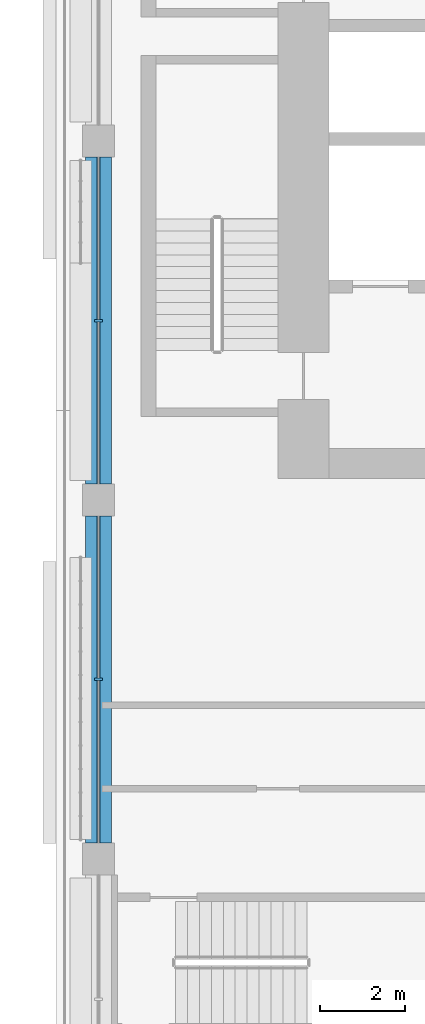
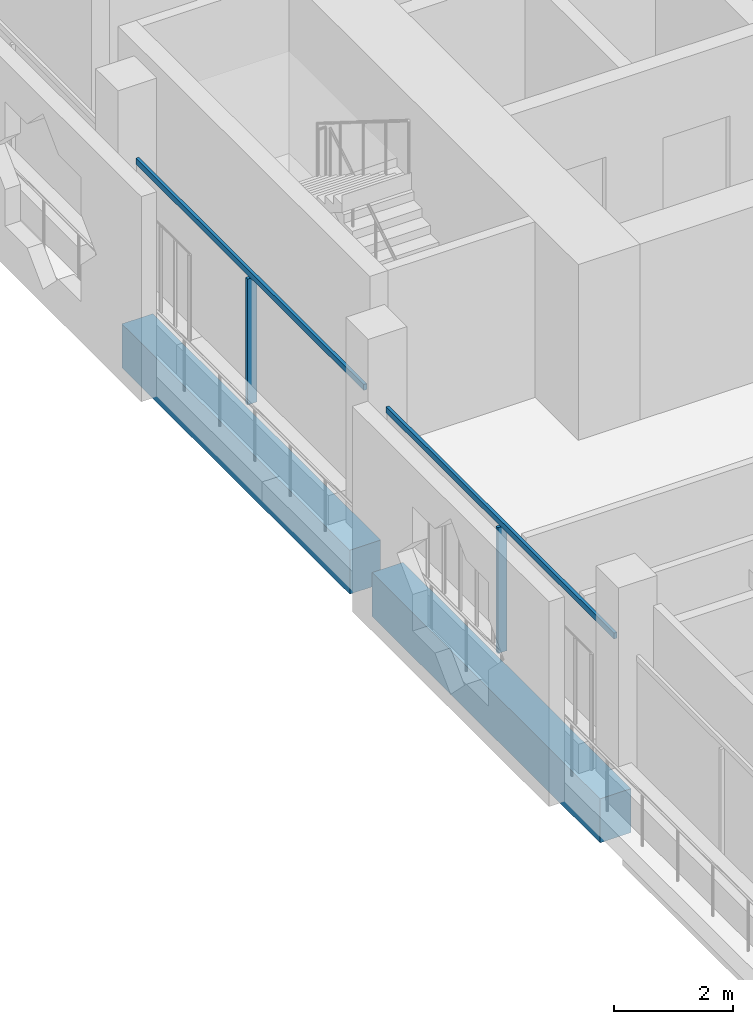
# One storey, part 3 of 23: 4 members, 2 beams, 1 element without a shape of its own.
"""IFC4 building model written with IfcOpenShell, lengths in metres."""

import ifcopenshell
import ifcopenshell.guid

model = None  # the IFC model being written
_history = None  # IfcOwnerHistory: only IFC2X3 demands one
_inside = {}  # id of a spatial element -> (the spatial element, [elements in it])
_under = {}  # id of a project, library or spatial element -> (it, [spatial elements below it])
_declared = {}  # id of a project -> (the project, [libraries it declares])
_typed = {}  # id of a type object -> (the type object, [elements of that type])
_made_of = {}  # id of a material, layer set ... -> (it, [elements and type objects made of it])


def new_model(schema):
    """Start an empty IFC model of exactly this schema.

    Asked for "IFC4X3", IfcOpenShell would pick the latest addendum, in which some entities
    have other attributes; the version numbers below select the first issue.
    IFC2X3 requires an IfcOwnerHistory on every rooted entity: one is made here for all.
    """
    global model, _history
    if schema == "IFC4X3":
        model = ifcopenshell.file(schema_version=(4, 3, 0, 0))
    else:
        model = ifcopenshell.file(schema=schema)
    _inside.clear()
    _under.clear()
    _declared.clear()
    _typed.clear()
    _made_of.clear()
    _history = None
    if model.schema == "IFC2X3":
        org = make("IfcOrganization", Name="unknown")
        user = make(
            "IfcPersonAndOrganization",
            ThePerson=make("IfcPerson", FamilyName="unknown"),
            TheOrganization=org,
        )
        app = make(
            "IfcApplication",
            ApplicationDeveloper=org,
            Version="unknown",
            ApplicationFullName="unknown",
            ApplicationIdentifier="unknown",
        )
        _history = make(
            "IfcOwnerHistory",
            OwningUser=user,
            OwningApplication=app,
            ChangeAction="ADDED",
            CreationDate=0,
        )
    return model


def make(cls, **values):
    """One entity of the class cls with the attributes given. An attribute that is None is left unset."""
    return model.create_entity(
        cls, **{name: value for name, value in values.items() if value is not None}
    )


def rooted(cls, **values):
    """An entity with a GlobalId (a new one), such as an element, a storey or a relation."""
    return make(cls, GlobalId=ifcopenshell.guid.new(), OwnerHistory=_history, **values)


def si_unit(unit_type, name, prefix=None):
    """IfcSIUnit, for example si_unit("LENGTHUNIT", "METRE", prefix="MILLI")."""
    return make("IfcSIUnit", UnitType=unit_type, Prefix=prefix, Name=name)


def assignment(units):
    """IfcUnitAssignment: the units of a project."""
    return None if units is None else make("IfcUnitAssignment", Units=units)


def point(xyz):
    """IfcCartesianPoint."""
    return None if xyz is None else make("IfcCartesianPoint", Coordinates=xyz)


def direction(xyz):
    """IfcDirection."""
    return None if xyz is None else make("IfcDirection", DirectionRatios=xyz)


def frame(location, z_axis=None, x_axis=None):
    """IfcAxis2Placement3D, a coordinate frame: its origin and axes. An axis left out is left unset."""
    return make(
        "IfcAxis2Placement3D",
        Location=point(location),
        Axis=direction(z_axis),
        RefDirection=direction(x_axis),
    )


def frame_2d(location, x_axis=None):
    """IfcAxis2Placement2D, a coordinate frame in the plane: its origin and x axis."""
    return make(
        "IfcAxis2Placement2D", Location=point(location), RefDirection=direction(x_axis)
    )


def origin():
    """The frame at (0, 0, 0) with its axes left unset."""
    return frame((0.0, 0.0, 0.0))


def origin_2d():
    """The frame at (0, 0) in the plane with its x axis left unset."""
    return frame_2d((0.0, 0.0))


def place(relative_to, where):
    """IfcLocalPlacement: puts the frame where relative to a parent placement (None: the world)."""
    return make(
        "IfcLocalPlacement", PlacementRelTo=relative_to, RelativePlacement=where
    )


def context(
    kind, dimensions, precision=None, world=None, true_north=None, identifier=None
):
    """IfcGeometricRepresentationContext, for example the 3D "Model" context."""
    return make(
        "IfcGeometricRepresentationContext",
        ContextIdentifier=identifier,
        ContextType=kind,
        CoordinateSpaceDimension=dimensions,
        Precision=precision,
        WorldCoordinateSystem=world,
        TrueNorth=true_north,
    )


def subcontext(parent, identifier, kind, view, scale=None):
    """IfcGeometricRepresentationSubContext, for example "Body" below "Model"."""
    return make(
        "IfcGeometricRepresentationSubContext",
        ContextIdentifier=identifier,
        ContextType=kind,
        ParentContext=parent,
        TargetScale=scale,
        TargetView=view,
    )


def project(units=None, contexts=None):
    """IfcProject with its units and contexts."""
    return rooted(
        "IfcProject",
        Name="project",
        RepresentationContexts=contexts,
        UnitsInContext=assignment(units),
    )


def spatial(cls, under=None, at=None, **own):
    """A site, building, storey or space (cls), placed at a placement, below another one or the project."""
    s = rooted(cls, ObjectPlacement=at, **own)
    if under is not None:
        _under.setdefault(under.id(), (under, []))[1].append(s)
    return s


def profile(cls, at=None, kind="AREA", **sizes):
    """A parametric profile (cls). Its sizes go by their IFC names, for example OverallWidth=200.0."""
    return make(cls, ProfileType=kind, Position=at, **sizes)


def rectangle(**sizes):
    """IfcRectangleProfileDef."""
    return profile("IfcRectangleProfileDef", **sizes)


def extrude(swept, where, along, depth):
    """IfcExtrudedAreaSolid: the profile swept, set in the frame where, extruded along a direction by depth."""
    return make(
        "IfcExtrudedAreaSolid",
        SweptArea=swept,
        Position=where,
        ExtrudedDirection=direction(along),
        Depth=depth,
    )


def shape(context_of_items, identifier, shape_type, items):
    """IfcShapeRepresentation: the items that make up one representation, for example the "Body"."""
    return make(
        "IfcShapeRepresentation",
        ContextOfItems=context_of_items,
        RepresentationIdentifier=identifier,
        RepresentationType=shape_type,
        Items=items,
    )


def material(Name=None, Category=None):
    """IfcMaterial."""
    return make("IfcMaterial", Name=Name, Category=Category)


def layer(
    of_material, thickness, ventilated=None, Name=None, Category=None, Priority=None
):
    """IfcMaterialLayer: one layer of a wall or slab, of a material (None: an air gap)."""
    return make(
        "IfcMaterialLayer",
        Material=of_material,
        LayerThickness=thickness,
        IsVentilated=ventilated,
        Name=Name,
        Category=Category,
        Priority=Priority,
    )


def layer_set(layers, Name=None):
    """IfcMaterialLayerSet."""
    return make("IfcMaterialLayerSet", MaterialLayers=layers, LayerSetName=Name)


def material_profile(
    of_material, cross_section, Name=None, Category=None, Priority=None
):
    """IfcMaterialProfile: a cross section and its material."""
    return make(
        "IfcMaterialProfile",
        Name=Name,
        Material=of_material,
        Profile=cross_section,
        Priority=Priority,
        Category=Category,
    )


def profile_set(profiles, Name=None, composite=None):
    """IfcMaterialProfileSet."""
    return make(
        "IfcMaterialProfileSet",
        Name=Name,
        MaterialProfiles=profiles,
        CompositeProfile=composite,
    )


def made_of(thing, what):
    """Note that an element or type object is made of a material, layer set ...; save() writes the relation."""
    if what is not None:
        _made_of.setdefault(what.id(), (what, []))[1].append(thing)
    return thing


def type_object(cls, material=None, **own):
    """A type object (cls), such as IfcWallType, which elements share."""
    return made_of(rooted(cls, **own), material)


def element(
    cls,
    number,
    at=None,
    inside=None,
    cuts=None,
    type_object=None,
    material=None,
    context=None,
    identifier="Body",
    shape_type=None,
    held_by="IfcProductDefinitionShape",
    body=None,
    shapes=None,
    **own,
):
    """One element of the class cls, such as IfcWall. Its Tag is "e" and its number.

    at: its placement. inside: the storey or other place that contains it. cuts: it is an
    opening in that element (IfcRelVoidsElement). A single representation is given by context,
    identifier, shape_type and body (its items); several are given by shapes. held_by: the class
    of the entity that holds the representations. save() writes the other relations.
    """
    e = rooted(cls, Tag="e%d" % number, ObjectPlacement=at, **own)
    if body is not None:
        shapes = [shape(context, identifier, shape_type, body)]
    if shapes is not None:
        e.Representation = make(held_by, Representations=shapes)
    if inside is not None:
        _inside.setdefault(inside.id(), (inside, []))[1].append(e)
    if cuts is not None:
        rooted(
            "IfcRelVoidsElement", RelatingBuildingElement=cuts, RelatedOpeningElement=e
        )
    if type_object is not None:
        _typed.setdefault(type_object.id(), (type_object, []))[1].append(e)
    return made_of(e, material)


def aggregate(whole, parts):
    """IfcRelAggregates: a whole, such as a stair, and the parts it consists of."""
    return rooted("IfcRelAggregates", RelatingObject=whole, RelatedObjects=parts)


def save(model, path):
    """Write the relations noted so far, then the file.

    IfcRelAggregates (storeys below a building ...), IfcRelContainedInSpatialStructure (elements
    in a storey), IfcRelDefinesByType, IfcRelAssociatesMaterial and IfcRelDeclares: one each for
    every whole, place, type object, material and project.
    """
    for whole, parts in _under.values():
        aggregate(whole, parts)
    for where, things in _inside.values():
        rooted(
            "IfcRelContainedInSpatialStructure",
            RelatedElements=things,
            RelatingStructure=where,
        )
    for kind, things in _typed.values():
        rooted("IfcRelDefinesByType", RelatedObjects=things, RelatingType=kind)
    for what, things in _made_of.values():
        rooted("IfcRelAssociatesMaterial", RelatedObjects=things, RelatingMaterial=what)
    for by, libraries in _declared.values():
        rooted("IfcRelDeclares", RelatingContext=by, RelatedDefinitions=libraries)
    model.write(path)


model = new_model("IFC4")

# Units and contexts
model_context = context("Model", 3, precision=1e-05, world=origin(), true_north=direction((0.0, 1.0)))
body_context = subcontext(model_context, "Body", "Model", "MODEL_VIEW")
ifc_project = project(units=[si_unit("LENGTHUNIT", "METRE"), si_unit("AREAUNIT", "SQUARE_METRE"), si_unit("VOLUMEUNIT", "CUBIC_METRE"), si_unit("PLANEANGLEUNIT", "RADIAN"), si_unit("MASSUNIT", "GRAM", prefix="KILO")], contexts=[model_context])

# Site, building, storey
site_placement = place(None, origin())
site = spatial("IfcSite", under=ifc_project, at=site_placement, CompositionType="ELEMENT")
building_placement = place(site_placement, origin())
building = spatial("IfcBuilding", under=site, at=building_placement, Name="Kawkab Arch Medical Tower", CompositionType="ELEMENT")
storey_placement = place(building_placement, frame((0.0, 0.0, 281.800048828125)))
storey = spatial("IfcBuildingStorey", under=building, at=storey_placement, Name="L65", CompositionType="ELEMENT", Elevation=281.800048828125)

# Curtain wall, members
ifc_material_1 = material(Name="Bronze anodised aluminium curtain wall frame", Category="aluminium")
ifc_layer = layer(ifc_material_1, 0.159912109375)
ifc_layer_set = layer_set([ifc_layer], Name="Bronze anodised aluminium curtain wall frame")
curtain_wall_type = type_object("IfcCurtainWallType", Name="CW1 ward curtain wall", PredefinedType="NOTDEFINED", material=ifc_layer_set)
curtain_wall_placement = place(storey_placement, origin())
curtain_wall = element("IfcCurtainWall", 1, at=curtain_wall_placement, inside=storey, type_object=curtain_wall_type, Name="CW1 Ward curtain wall R12", PredefinedType="NOTDEFINED")
ifc_material_2 = material(Name="Bronze anodised aluminium curtain wall frame", Category="aluminium")
ifc_material_profile_1 = material_profile(ifc_material_2, rectangle(XDim=0.179931640625, YDim=0.06005859375, at=origin_2d()), Name="AL 60x180")
ifc_profile_set_1 = profile_set([ifc_material_profile_1], Name="Bronze anodised aluminium curtain wall frame")
member_type_1 = type_object("IfcMemberType", Name="CW1 mullion 60 x 180", PredefinedType="MULLION", material=ifc_profile_set_1)
member_1_placement = place(storey_placement, frame((0.0, -21.0, 0.0), z_axis=(0.0, 0.0, 1.0), x_axis=(1.0, 0.0, 0.0)))
member_1 = element("IfcMember", 2, at=member_1_placement, type_object=member_type_1, Name="CW1 mullion 2.1", PredefinedType="MULLION", context=body_context, shape_type="SweptSolid", body=[
    extrude(rectangle(XDim=0.179931640625, YDim=0.06005859375, at=origin_2d()), origin(), (0.0, 0.0, 1.0), 2.579833984375),
])
member_2_placement = place(storey_placement, frame((0.0, -29.39990234375, 0.0), z_axis=(0.0, 0.0, 1.0), x_axis=(1.0, 0.0, 0.0)))
member_2 = element("IfcMember", 3, at=member_2_placement, type_object=member_type_1, Name="CW1 mullion 3.1", PredefinedType="MULLION", context=body_context, shape_type="SweptSolid", body=[
    extrude(rectangle(XDim=0.179931640625, YDim=0.06005859375, at=origin_2d()), origin(), (0.0, 0.0, 1.0), 2.579833984375),
])
ifc_material_3 = material(Name="Bronze anodised aluminium curtain wall frame", Category="aluminium")
ifc_material_profile_2 = material_profile(ifc_material_3, rectangle(XDim=0.06005859375, YDim=0.1201171875, at=origin_2d()), Name="AL 60x120")
ifc_profile_set_2 = profile_set([ifc_material_profile_2], Name="Bronze anodised aluminium curtain wall frame")
member_type_2 = type_object("IfcMemberType", Name="CW1 transom 120 x 60", PredefinedType="USERDEFINED", material=ifc_profile_set_2)
member_3_placement = place(storey_placement, frame((0.0, -17.175048828125, 2.639892578125), z_axis=(0.0, -1.0, 0.0), x_axis=(1.0, 0.0, 0.0)))
member_3 = element("IfcMember", 4, at=member_3_placement, type_object=member_type_2, Name="CW1 transom 2", ObjectType="TRANSOM", PredefinedType="USERDEFINED", context=body_context, shape_type="SweptSolid", body=[
    extrude(rectangle(XDim=0.06005859375, YDim=0.1201171875, at=origin_2d()), origin(), (0.0, 0.0, 1.0), 7.64990234375),
])
member_4_placement = place(storey_placement, frame((0.0, -25.574951171875, 2.639892578125), z_axis=(0.0, -1.0, 0.0), x_axis=(1.0, 0.0, 0.0)))
member_4 = element("IfcMember", 5, at=member_4_placement, type_object=member_type_2, Name="CW1 transom 3", ObjectType="TRANSOM", PredefinedType="USERDEFINED", context=body_context, shape_type="SweptSolid", body=[
    extrude(rectangle(XDim=0.06005859375, YDim=0.1201171875, at=origin_2d()), origin(), (0.0, 0.0, 1.0), 7.650146484375),
])
aggregate(curtain_wall, [member_3, member_1, member_4, member_2])

# Beams
ifc_material_4 = material(Name="Concrete C40/50", Category="concrete")
ifc_material_profile_3 = material_profile(ifc_material_4, rectangle(XDim=0.60009765625, YDim=0.89990234375, at=origin_2d()), Name="RC 600x900")
ifc_profile_set_3 = profile_set([ifc_material_profile_3], Name="Concrete C40/50")
beam_type = type_object("IfcBeamType", Name="RC 600x900 beam C40/50", PredefinedType="BEAM", material=ifc_profile_set_3)
beam_1_placement = place(storey_placement, frame((0.0, -33.22509765625, -1.050048828125), z_axis=(0.0, 1.0, 0.0), x_axis=(-1.0, 0.0, 0.0)))
element("IfcBeam", 6, at=beam_1_placement, inside=storey, type_object=beam_type, Name="Overhang edge beam L65-04", PredefinedType="BEAM", context=body_context, shape_type="SweptSolid", body=[
    extrude(rectangle(XDim=0.60009765625, YDim=0.89990234375, at=origin_2d()), origin(), (0.0, 0.0, 1.0), 7.650146484375),
])
beam_2_placement = place(storey_placement, frame((0.0, -24.824951171875, -1.050048828125), z_axis=(0.0, 1.0, 0.0), x_axis=(-1.0, 0.0, 0.0)))
element("IfcBeam", 7, at=beam_2_placement, inside=storey, type_object=beam_type, Name="Overhang edge beam L65-05", PredefinedType="BEAM", context=body_context, shape_type="SweptSolid", body=[
    extrude(rectangle(XDim=0.60009765625, YDim=0.89990234375, at=origin_2d()), origin(), (0.0, 0.0, 1.0), 7.64990234375),
])

save(model, "model.ifc")
